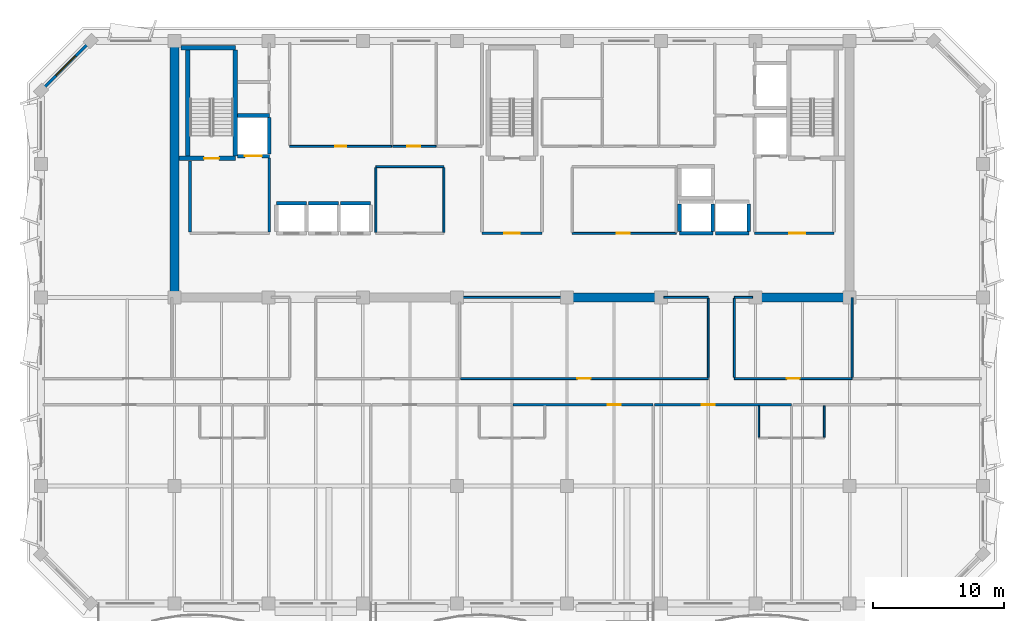
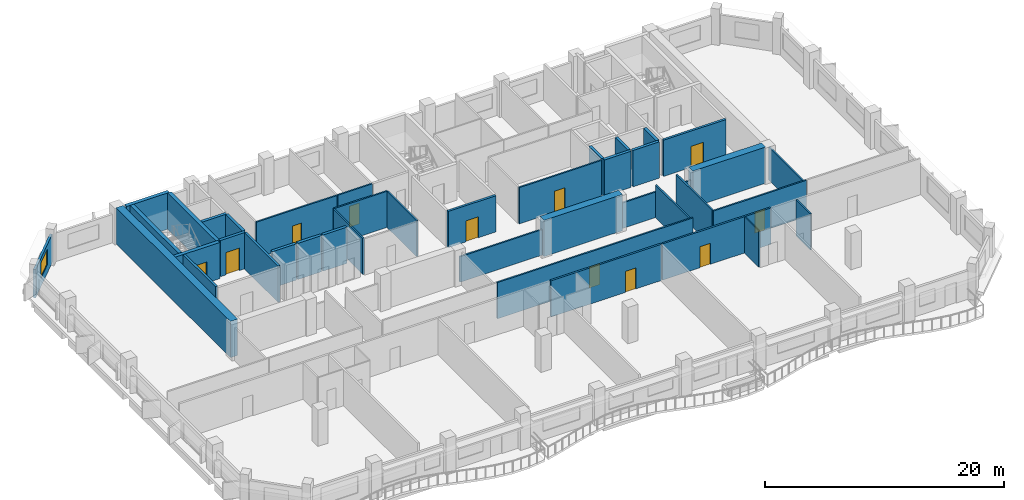
# One storey, part 5 of 10: 41 walls, 11 doors, 1 window, 12 openings.
"""IFC4 building model written with IfcOpenShell, lengths in metres."""

from ifc_helpers import new_model, si_unit, direction, frame, frame_2d, origin, place, context, subcontext, project, spatial, rectangle, extrude, material, layer, layer_set, type_object, element, fill, save


model = new_model("IFC4")

# Units and contexts
model_context = context("Model", 3, precision=1e-05, world=origin(), true_north=direction((0.0, 1.0)))
body_context = subcontext(model_context, "Body", "Model", "MODEL_VIEW")
ifc_project = project(units=[si_unit("LENGTHUNIT", "METRE"), si_unit("AREAUNIT", "SQUARE_METRE"), si_unit("VOLUMEUNIT", "CUBIC_METRE"), si_unit("PLANEANGLEUNIT", "RADIAN"), si_unit("MASSUNIT", "GRAM", prefix="KILO")], contexts=[model_context])

# Site, building, storey
site_placement = place(None, origin())
site = spatial("IfcSite", under=ifc_project, at=site_placement, CompositionType="ELEMENT")
building_placement = place(site_placement, origin())
building = spatial("IfcBuilding", under=site, at=building_placement, Name="Kaelvorn Grand Hotel", CompositionType="ELEMENT")
storey_placement = place(building_placement, frame((0.0, 0.0, 264.699951171875)))
storey = spatial("IfcBuildingStorey", under=building, at=storey_placement, Name="L65", CompositionType="ELEMENT", Elevation=264.699951171875)

# Walls
ifc_material_1 = material(Name="Concrete C50/60", Category="concrete")
ifc_layer_1 = layer(ifc_material_1, 0.699951171875)
ifc_layer_set_1 = layer_set([ifc_layer_1], Name="Concrete C50/60")
wall_type_1 = type_object("IfcWallType", Name="WL-CORE-700-C50", PredefinedType="SHEAR", material=ifc_layer_set_1)
wall_1_placement = place(storey_placement, frame((16.199951171875, 29.39990234375, 0.0), z_axis=(0.0, 0.0, 1.0), x_axis=(0.0, 1.0, 0.0)))
element("IfcWall", 1, at=wall_1_placement, inside=storey, type_object=wall_type_1, Name="L65 Rear-Core West Shear Wall", PredefinedType="SHEAR", context=body_context, shape_type="SweptSolid", body=[
    extrude(rectangle(XDim=19.2001953125, YDim=0.699951171875, at=frame_2d((9.60009765625, 0.0))), origin(), (0.0, 0.0, 1.0), 3.7099609375),
])
wall_2_placement = place(storey_placement, frame((46.0, 29.39990234375, 0.0), z_axis=(0.0, 0.0, 1.0), x_axis=(1.0, 0.0, 0.0)))
element("IfcWall", 2, at=wall_2_placement, inside=storey, type_object=wall_type_1, Name="L65 Rear-Core Coupled Shear Pier S3", PredefinedType="SHEAR", context=body_context, shape_type="SweptSolid", body=[
    extrude(rectangle(XDim=7.60009765625, YDim=0.699951171875, at=frame_2d((3.800048828125, 0.0))), origin(), (0.0, 0.0, 1.0), 3.7099609375),
])
wall_3_placement = place(storey_placement, frame((60.39990234375, 29.39990234375, 0.0), z_axis=(0.0, 0.0, 1.0), x_axis=(1.0, 0.0, 0.0)))
element("IfcWall", 3, at=wall_3_placement, inside=storey, type_object=wall_type_1, Name="L65 Rear-Core Coupled Shear Pier S4", PredefinedType="SHEAR", context=body_context, shape_type="SweptSolid", body=[
    extrude(rectangle(XDim=7.045166015625, YDim=0.699951171875, at=frame_2d((3.5224609375, 0.0))), origin(), (0.0, 0.0, 1.0), 3.7099609375),
])

# Wall, opening, window
ifc_material_2 = material(Name="Concrete C40/50", Category="concrete")
ifc_layer_2 = layer(ifc_material_2, 0.219970703125)
ifc_layer_set_2 = layer_set([ifc_layer_2], Name="Concrete C40/50")
wall_type_2 = type_object("IfcWallType", Name="WL-EXT-220-C40", PredefinedType="SOLIDWALL", material=ifc_layer_set_2)
wall_4_placement = place(storey_placement, frame((9.800048828125, 49.0, 0.0), z_axis=(0.0, 0.0, 1.0), x_axis=(-0.707106781187, -0.707106781187, 0.0)))
wall_4 = element("IfcWall", 4, at=wall_4_placement, inside=storey, type_object=wall_type_2, Name="L65 Exterior Architectural Concrete Wall 06", PredefinedType="SOLIDWALL", context=body_context, shape_type="SweptSolid", body=[
    extrude(rectangle(XDim=5.3740234375, YDim=0.219970703125, at=frame_2d((2.68701171875, 0.0))), origin(), (0.0, 0.0, 1.0), 2.91015625),
])
opening_1_placement = place(wall_4_placement, frame((1.636962890625, 0.0, 0.85009765625)))
opening_1 = element("IfcOpeningElement", 5, at=opening_1_placement, cuts=wall_4, Name="Opening W7", PredefinedType="OPENING", context=body_context, shape_type="SweptSolid", body=[
    extrude(rectangle(XDim=2.10009765625, YDim=1.60009765625, at=frame_2d((1.050048828125, 0.800048828125))), frame((0.0, 0.1201171875, 0.0), z_axis=(0.0, -1.0, 0.0), x_axis=(1.0, 0.0, 0.0)), (0.0, 0.0, 1.0), 0.239990234375),
])
ifc_material_3 = material(Name="Laminated Low-E Glass", Category="glass")
window_type = type_object("IfcWindowType", Name="WIN-CHM-2100x1600", PartitioningType="SINGLE_PANEL", PredefinedType="WINDOW", material=ifc_material_3)
window_placement = place(opening_1_placement, origin())
window = element("IfcWindow", 6, at=window_placement, inside=storey, type_object=window_type, Name="L65 Chamfered 45-Degree Corner Window NW", OverallHeight=1.60009765625, OverallWidth=2.10009765625, PartitioningType="SINGLE_PANEL", PredefinedType="WINDOW", context=body_context, shape_type="SweptSolid", body=[
    extrude(rectangle(XDim=2.10009765625, YDim=1.60009765625, at=frame_2d((1.050048828125, 0.800048828125))), frame((0.0, 0.030029296875, 0.0), z_axis=(0.0, -1.0, 0.0), x_axis=(1.0, 0.0, 0.0)), (0.0, 0.0, 1.0), 0.06005859375),
])
fill(opening_1, window)

# Walls
ifc_material_4 = material(Name="Moisture-Resistant Tile & Stud Board")
ifc_layer_3 = layer(ifc_material_4, 0.125)
ifc_layer_set_3 = layer_set([ifc_layer_3], Name="Moisture-Resistant Tile & Stud Board")
wall_type_3 = type_object("IfcWallType", Name="WL-PART-125-WET", PredefinedType="PARTITIONING", material=ifc_layer_set_3)
for number, where, z_axis, x_axis, name in (
    (7, (60.86669921875, 18.717529296875, 0.0), (0.0, 0.0, 1.0), (0.0, 1.0, 0.0), "L65 En-suite Bathroom L65-05 W Partition"),
    (8, (65.86669921875, 18.717529296875, 0.0), (0.0, 0.0, 1.0), (0.0, 1.0, 0.0), "L65 En-suite Bathroom L65-06 E Partition"),
):
    element("IfcWall", number, at=place(storey_placement, frame(where, z_axis=z_axis, x_axis=x_axis)), inside=storey, type_object=wall_type_3, Name=name, PredefinedType="PARTITIONING", context=body_context, shape_type="SweptSolid", body=[
        extrude(rectangle(XDim=2.387451171875, YDim=0.125, at=frame_2d((1.19384765625, 0.0))), origin(), (0.0, 0.0, 1.0), 3.7099609375),
    ])
ifc_material_5 = material(Name="Acoustic Gypsum & Stud Partition")
ifc_layer_4 = layer(ifc_material_5, 0.14990234375)
ifc_layer_set_4 = layer_set([ifc_layer_4], Name="Acoustic Gypsum & Stud Partition")
wall_type_4 = type_object("IfcWallType", Name="WL-PART-150-EI60", PredefinedType="PARTITIONING", material=ifc_layer_set_4)
wall_5_placement = place(storey_placement, frame((31.60009765625, 39.39990234375, 0.0), z_axis=(0.0, 0.0, 1.0), x_axis=(1.0, 0.0, 0.0)))
element("IfcWall", 9, at=wall_5_placement, inside=storey, type_object=wall_type_4, Name="L65 Core Telecoms & BMS Server Room N Partition", PredefinedType="PARTITIONING", context=body_context, shape_type="SweptSolid", body=[
    extrude(rectangle(XDim=5.199951171875, YDim=0.14990234375, at=frame_2d((2.60009765625, 0.0))), origin(), (0.0, 0.0, 1.0), 3.7099609375),
])
for number, where, z_axis, x_axis, name in (
    (10, (31.60009765625, 34.3798828125, 0.0), (0.0, 0.0, 1.0), (0.0, 1.0, 0.0), "L65 Core Telecoms & BMS Server Room W Partition"),
    (11, (36.800048828125, 34.3798828125, 0.0), (0.0, 0.0, 1.0), (0.0, 1.0, 0.0), "L65 Core Telecoms & BMS Server Room E Partition"),
):
    element("IfcWall", number, at=place(storey_placement, frame(where, z_axis=z_axis, x_axis=x_axis)), inside=storey, type_object=wall_type_4, Name=name, PredefinedType="PARTITIONING", context=body_context, shape_type="SweptSolid", body=[
        extrude(rectangle(XDim=4.940185546875, YDim=0.14990234375, at=frame_2d((2.47021484375, 0.0))), origin(), (0.0, 0.0, 1.0), 3.7099609375),
    ])

# Wall, opening, door
wall_6_placement = place(storey_placement, frame((46.60009765625, 34.300048828125, 0.0), z_axis=(0.0, 0.0, 1.0), x_axis=(1.0, 0.0, 0.0)))
wall_6 = element("IfcWall", 12, at=wall_6_placement, inside=storey, type_object=wall_type_4, Name="L65 Sky Concierge & Butler Pantry Lounge S Partition", PredefinedType="PARTITIONING", context=body_context, shape_type="SweptSolid", body=[
    extrude(rectangle(XDim=7.949951171875, YDim=0.14990234375, at=frame_2d((3.97509765625, 0.0))), origin(), (0.0, 0.0, 1.0), 3.7099609375),
])
opening_2_placement = place(wall_6_placement, frame((3.39990234375, 0.0, 0.0)))
opening_2 = element("IfcOpeningElement", 13, at=opening_2_placement, cuts=wall_6, Name="Opening DI3", PredefinedType="OPENING", context=body_context, shape_type="SweptSolid", body=[
    extrude(rectangle(XDim=1.0, YDim=2.14990234375, at=frame_2d((0.5, 1.074951171875))), frame((0.0, 0.0849609375, 0.0), z_axis=(0.0, -1.0, 0.0), x_axis=(1.0, 0.0, 0.0)), (0.0, 0.0, 1.0), 0.169921875),
])
ifc_material_6 = material(Name="Timber Veneer Fire Leaf", Category="wood")
door_type_1 = type_object("IfcDoorType", Name="DR-INT-GUEST-1000x2150", OperationType="NOTDEFINED", PredefinedType="DOOR", material=ifc_material_6)
door_1_placement = place(opening_2_placement, origin())
door_1 = element("IfcDoor", 14, at=door_1_placement, inside=storey, type_object=door_type_1, Name="L65 Sky Concierge & Butler Pantry Lounge Door", OperationType="SINGLE_SWING_LEFT", OverallHeight=2.14990234375, OverallWidth=1.0, PredefinedType="DOOR", context=body_context, shape_type="SweptSolid", body=[
    extrude(rectangle(XDim=1.0, YDim=2.14990234375, at=frame_2d((0.5, 1.074951171875))), frame((0.0, 0.02490234375, 0.0), z_axis=(0.0, -1.0, 0.0), x_axis=(1.0, 0.0, 0.0)), (0.0, 0.0, 1.0), 0.050048828125),
])
fill(opening_2, door_1)

wall_7_placement = place(storey_placement, frame((25.0, 40.949951171875, 0.0), z_axis=(0.0, 0.0, 1.0), x_axis=(1.0, 0.0, 0.0)))
wall_7 = element("IfcWall", 15, at=wall_7_placement, inside=storey, type_object=wall_type_4, Name="L65 Housekeeping & Linen Room S Partition", PredefinedType="PARTITIONING", context=body_context, shape_type="SweptSolid", body=[
    extrude(rectangle(XDim=7.800048828125, YDim=0.14990234375, at=frame_2d((3.89990234375, 0.0))), origin(), (0.0, 0.0, 1.0), 3.7099609375),
])
opening_3_placement = place(wall_7_placement, frame((3.47509765625, 0.0, 0.0)))
opening_3 = element("IfcOpeningElement", 16, at=opening_3_placement, cuts=wall_7, Name="Opening DI7", PredefinedType="OPENING", context=body_context, shape_type="SweptSolid", body=[
    extrude(rectangle(XDim=0.85009765625, YDim=2.10009765625, at=frame_2d((0.425048828125, 1.050048828125))), frame((0.0, 0.0849609375, 0.0), z_axis=(0.0, -1.0, 0.0), x_axis=(1.0, 0.0, 0.0)), (0.0, 0.0, 1.0), 0.169921875),
])
ifc_material_7 = material(Name="Powder-Coated Steel Leaf", Category="steel")
door_type_2 = type_object("IfcDoorType", Name="DR-INT-RISER-850x2100", OperationType="NOTDEFINED", PredefinedType="DOOR", material=ifc_material_7)
door_2_placement = place(opening_3_placement, origin())
door_2 = element("IfcDoor", 17, at=door_2_placement, inside=storey, type_object=door_type_2, Name="L65 Housekeeping & Linen Room Door", OperationType="SINGLE_SWING_RIGHT", OverallHeight=2.10009765625, OverallWidth=0.85009765625, PredefinedType="DOOR", context=body_context, shape_type="SweptSolid", body=[
    extrude(rectangle(XDim=0.85009765625, YDim=2.10009765625, at=frame_2d((0.425048828125, 1.050048828125))), frame((0.0, 0.02490234375, 0.0), z_axis=(0.0, -1.0, 0.0), x_axis=(1.0, 0.0, 0.0)), (0.0, 0.0, 1.0), 0.050048828125),
])
fill(opening_3, door_2)

wall_8_placement = place(storey_placement, frame((32.8798828125, 40.949951171875, 0.0), z_axis=(0.0, 0.0, 1.0), x_axis=(1.0, 0.0, 0.0)))
wall_8 = element("IfcWall", 18, at=wall_8_placement, inside=storey, type_object=wall_type_4, Name="L65 Floor Butler Tea Point S Partition", PredefinedType="PARTITIONING", context=body_context, shape_type="SweptSolid", body=[
    extrude(rectangle(XDim=3.320068359375, YDim=0.14990234375, at=frame_2d((1.66015625, 0.0))), origin(), (0.0, 0.0, 1.0), 3.7099609375),
])
opening_4_placement = place(wall_8_placement, frame((1.1201171875, 0.0, 0.0)))
opening_4 = element("IfcOpeningElement", 19, at=opening_4_placement, cuts=wall_8, Name="Opening DI3", PredefinedType="OPENING", context=body_context, shape_type="SweptSolid", body=[
    extrude(rectangle(XDim=1.0, YDim=2.14990234375, at=frame_2d((0.5, 1.074951171875))), frame((0.0, 0.0849609375, 0.0), z_axis=(0.0, -1.0, 0.0), x_axis=(1.0, 0.0, 0.0)), (0.0, 0.0, 1.0), 0.169921875),
])
door_3_placement = place(opening_4_placement, origin())
door_3 = element("IfcDoor", 20, at=door_3_placement, inside=storey, type_object=door_type_1, Name="L65 Floor Butler Tea Point Door", OperationType="SINGLE_SWING_LEFT", OverallHeight=2.14990234375, OverallWidth=1.0, PredefinedType="DOOR", context=body_context, shape_type="SweptSolid", body=[
    extrude(rectangle(XDim=1.0, YDim=2.14990234375, at=frame_2d((0.5, 1.074951171875))), frame((0.0, 0.02490234375, 0.0), z_axis=(0.0, -1.0, 0.0), x_axis=(1.0, 0.0, 0.0)), (0.0, 0.0, 1.0), 0.050048828125),
])
fill(opening_4, door_3)

wall_9_placement = place(storey_placement, frame((38.080078125, 23.199951171875, 0.0), z_axis=(0.0, 0.0, 1.0), x_axis=(1.0, 0.0, 0.0)))
wall_9 = element("IfcWall", 21, at=wall_9_placement, inside=storey, type_object=wall_type_4, Name="L65 Conference Seminar Room S Partition", PredefinedType="PARTITIONING", context=body_context, shape_type="SweptSolid", body=[
    extrude(rectangle(XDim=18.919921875, YDim=0.14990234375, at=frame_2d((9.4599609375, 0.0))), origin(), (0.0, 0.0, 1.0), 3.7099609375),
])
opening_5_placement = place(wall_9_placement, frame((8.919921875, 0.0, 0.0)))
opening_5 = element("IfcOpeningElement", 22, at=opening_5_placement, cuts=wall_9, Name="Opening DI3", PredefinedType="OPENING", context=body_context, shape_type="SweptSolid", body=[
    extrude(rectangle(XDim=1.0, YDim=2.14990234375, at=frame_2d((0.5, 1.074951171875))), frame((0.0, 0.0849609375, 0.0), z_axis=(0.0, -1.0, 0.0), x_axis=(1.0, 0.0, 0.0)), (0.0, 0.0, 1.0), 0.169921875),
])
door_4_placement = place(opening_5_placement, origin())
door_4 = element("IfcDoor", 23, at=door_4_placement, inside=storey, type_object=door_type_1, Name="L65 Conference Seminar Room Door", OperationType="SINGLE_SWING_RIGHT", OverallHeight=2.14990234375, OverallWidth=1.0, PredefinedType="DOOR", context=body_context, shape_type="SweptSolid", body=[
    extrude(rectangle(XDim=1.0, YDim=2.14990234375, at=frame_2d((0.5, 1.074951171875))), frame((0.0, 0.02490234375, 0.0), z_axis=(0.0, -1.0, 0.0), x_axis=(1.0, 0.0, 0.0)), (0.0, 0.0, 1.0), 0.050048828125),
])
fill(opening_5, door_4)

# Walls
wall_10_placement = place(storey_placement, frame((38.010009765625, 29.39990234375, 0.0), z_axis=(0.0, 0.0, 1.0), x_axis=(1.0, 0.0, 0.0)))
element("IfcWall", 24, at=wall_10_placement, inside=storey, type_object=wall_type_4, Name="L65 Conference Seminar Room N Partition (1)", PredefinedType="PARTITIONING", context=body_context, shape_type="SweptSolid", body=[
    extrude(rectangle(XDim=7.97998046875, YDim=0.14990234375, at=frame_2d((3.989990234375, 0.0))), origin(), (0.0, 0.0, 1.0), 2.610107421875),
])
wall_11_placement = place(storey_placement, frame((53.610107421875, 29.39990234375, 0.0), z_axis=(0.0, 0.0, 1.0), x_axis=(1.0, 0.0, 0.0)))
element("IfcWall", 25, at=wall_11_placement, inside=storey, type_object=wall_type_4, Name="L65 Conference Seminar Room N Partition (2)", PredefinedType="PARTITIONING", context=body_context, shape_type="SweptSolid", body=[
    extrude(rectangle(XDim=3.389892578125, YDim=0.14990234375, at=frame_2d((1.69482421875, 0.0))), origin(), (0.0, 0.0, 1.0), 2.610107421875),
])
wall_12_placement = place(storey_placement, frame((57.0, 23.280029296875, 0.0), z_axis=(0.0, 0.0, 1.0), x_axis=(0.0, 1.0, 0.0)))
element("IfcWall", 26, at=wall_12_placement, inside=storey, type_object=wall_type_4, Name="L65 Conference Seminar Room E Partition", PredefinedType="PARTITIONING", context=body_context, shape_type="SweptSolid", body=[
    extrude(rectangle(XDim=6.0400390625, YDim=0.14990234375, at=frame_2d((3.02001953125, 0.0))), origin(), (0.0, 0.0, 1.0), 3.35009765625),
])

# Wall, opening, door
wall_13_placement = place(storey_placement, frame((59.0, 23.199951171875, 0.0), z_axis=(0.0, 0.0, 1.0), x_axis=(1.0, 0.0, 0.0)))
wall_13 = element("IfcWall", 27, at=wall_13_placement, inside=storey, type_object=wall_type_4, Name="L65 Concierge Admin Office S Partition", PredefinedType="PARTITIONING", context=body_context, shape_type="SweptSolid", body=[
    extrude(rectangle(XDim=9.0, YDim=0.14990234375, at=frame_2d((4.5, 0.0))), origin(), (0.0, 0.0, 1.0), 3.7099609375),
])
opening_6_placement = place(wall_13_placement, frame((4.0, 0.0, 0.0)))
opening_6 = element("IfcOpeningElement", 28, at=opening_6_placement, cuts=wall_13, Name="Opening DI3", PredefinedType="OPENING", context=body_context, shape_type="SweptSolid", body=[
    extrude(rectangle(XDim=1.0, YDim=2.14990234375, at=frame_2d((0.5, 1.074951171875))), frame((0.0, 0.0849609375, 0.0), z_axis=(0.0, -1.0, 0.0), x_axis=(1.0, 0.0, 0.0)), (0.0, 0.0, 1.0), 0.169921875),
])
door_5_placement = place(opening_6_placement, origin())
door_5 = element("IfcDoor", 29, at=door_5_placement, inside=storey, type_object=door_type_1, Name="L65 Concierge Admin Office Door", OperationType="SINGLE_SWING_LEFT", OverallHeight=2.14990234375, OverallWidth=1.0, PredefinedType="DOOR", context=body_context, shape_type="SweptSolid", body=[
    extrude(rectangle(XDim=1.0, YDim=2.14990234375, at=frame_2d((0.5, 1.074951171875))), frame((0.0, 0.02490234375, 0.0), z_axis=(0.0, -1.0, 0.0), x_axis=(1.0, 0.0, 0.0)), (0.0, 0.0, 1.0), 0.050048828125),
])
fill(opening_6, door_5)

# Walls
wall_14_placement = place(storey_placement, frame((59.0, 29.39990234375, 0.0), z_axis=(0.0, 0.0, 1.0), x_axis=(1.0, 0.0, 0.0)))
element("IfcWall", 30, at=wall_14_placement, inside=storey, type_object=wall_type_4, Name="L65 Concierge Admin Office N Partition", PredefinedType="PARTITIONING", context=body_context, shape_type="SweptSolid", body=[
    extrude(rectangle(XDim=1.389892578125, YDim=0.14990234375, at=frame_2d((0.69482421875, 0.0))), origin(), (0.0, 0.0, 1.0), 2.610107421875),
])
wall_15_placement = place(storey_placement, frame((59.0, 23.280029296875, 0.0), z_axis=(0.0, 0.0, 1.0), x_axis=(0.0, 1.0, 0.0)))
element("IfcWall", 31, at=wall_15_placement, inside=storey, type_object=wall_type_4, Name="L65 Concierge Admin Office W Partition", PredefinedType="PARTITIONING", context=body_context, shape_type="SweptSolid", body=[
    extrude(rectangle(XDim=6.0400390625, YDim=0.14990234375, at=frame_2d((3.02001953125, 0.0))), origin(), (0.0, 0.0, 1.0), 3.7099609375),
])
wall_16_placement = place(storey_placement, frame((68.0, 23.280029296875, 0.0), z_axis=(0.0, 0.0, 1.0), x_axis=(0.0, 1.0, 0.0)))
element("IfcWall", 32, at=wall_16_placement, inside=storey, type_object=wall_type_4, Name="L65 Concierge Admin Office E Partition", PredefinedType="PARTITIONING", context=body_context, shape_type="SweptSolid", body=[
    extrude(rectangle(XDim=6.10986328125, YDim=0.14990234375, at=frame_2d((3.054931640625, 0.0))), origin(), (0.0, 0.0, 1.0), 3.35009765625),
])

# Wall, opening, door
ifc_layer_5 = layer(ifc_material_5, 0.179931640625)
ifc_layer_set_5 = layer_set([ifc_layer_5], Name="Acoustic Gypsum & Stud Partition")
wall_type_5 = type_object("IfcWallType", Name="WL-PART-180-EI60", PredefinedType="PARTITIONING", material=ifc_layer_set_5)
wall_17_placement = place(storey_placement, frame((42.094970703125, 21.199951171875, 0.0), z_axis=(0.0, 0.0, 1.0), x_axis=(1.0, 0.0, 0.0)))
wall_17 = element("IfcWall", 33, at=wall_17_placement, inside=storey, type_object=wall_type_5, Name="L65 Ambassador Junior Suite L65-04 N Partition", PredefinedType="PARTITIONING", context=body_context, shape_type="SweptSolid", body=[
    extrude(rectangle(XDim=10.688232421875, YDim=0.179931640625, at=frame_2d((5.34423828125, 0.0))), origin(), (0.0, 0.0, 1.0), 3.7099609375),
])
opening_7_placement = place(wall_17_placement, frame((7.205078125, 0.0, 0.0)))
opening_7 = element("IfcOpeningElement", 34, at=opening_7_placement, cuts=wall_17, Name="Opening DI3", PredefinedType="OPENING", context=body_context, shape_type="SweptSolid", body=[
    extrude(rectangle(XDim=1.0, YDim=2.14990234375, at=frame_2d((0.5, 1.074951171875))), frame((0.0, 0.10009765625, 0.0), z_axis=(0.0, -1.0, 0.0), x_axis=(1.0, 0.0, 0.0)), (0.0, 0.0, 1.0), 0.199951171875),
])
door_6_placement = place(opening_7_placement, origin())
door_6 = element("IfcDoor", 35, at=door_6_placement, inside=storey, type_object=door_type_1, Name="L65 Ambassador Junior Suite L65-04 Door", OperationType="SINGLE_SWING_RIGHT", OverallHeight=2.14990234375, OverallWidth=1.0, PredefinedType="DOOR", context=body_context, shape_type="SweptSolid", body=[
    extrude(rectangle(XDim=1.0, YDim=2.14990234375, at=frame_2d((0.5, 1.074951171875))), frame((0.0, 0.02490234375, 0.0), z_axis=(0.0, -1.0, 0.0), x_axis=(1.0, 0.0, 0.0)), (0.0, 0.0, 1.0), 0.050048828125),
])
fill(opening_7, door_6)

wall_18_placement = place(storey_placement, frame((52.878173828125, 21.199951171875, 0.0), z_axis=(0.0, 0.0, 1.0), x_axis=(1.0, 0.0, 0.0)))
wall_18 = element("IfcWall", 36, at=wall_18_placement, inside=storey, type_object=wall_type_5, Name="L65 Ambassador Junior Suite L65-05 N Partition", PredefinedType="PARTITIONING", context=body_context, shape_type="SweptSolid", body=[
    extrude(rectangle(XDim=10.488525390625, YDim=0.179931640625, at=frame_2d((5.244140625, 0.0))), origin(), (0.0, 0.0, 1.0), 3.7099609375),
])
opening_8_placement = place(wall_18_placement, frame((3.621826171875, 0.0, 0.0)))
opening_8 = element("IfcOpeningElement", 37, at=opening_8_placement, cuts=wall_18, Name="Opening DI3", PredefinedType="OPENING", context=body_context, shape_type="SweptSolid", body=[
    extrude(rectangle(XDim=1.0, YDim=2.14990234375, at=frame_2d((0.5, 1.074951171875))), frame((0.0, 0.10009765625, 0.0), z_axis=(0.0, -1.0, 0.0), x_axis=(1.0, 0.0, 0.0)), (0.0, 0.0, 1.0), 0.199951171875),
])
door_7_placement = place(opening_8_placement, origin())
door_7 = element("IfcDoor", 38, at=door_7_placement, inside=storey, type_object=door_type_1, Name="L65 Ambassador Junior Suite L65-05 Door", OperationType="SINGLE_SWING_RIGHT", OverallHeight=2.14990234375, OverallWidth=1.0, PredefinedType="DOOR", context=body_context, shape_type="SweptSolid", body=[
    extrude(rectangle(XDim=1.0, YDim=2.14990234375, at=frame_2d((0.5, 1.074951171875))), frame((0.0, 0.02490234375, 0.0), z_axis=(0.0, -1.0, 0.0), x_axis=(1.0, 0.0, 0.0)), (0.0, 0.0, 1.0), 0.050048828125),
])
fill(opening_8, door_7)

# Walls
ifc_layer_6 = layer(ifc_material_2, 0.219970703125)
ifc_layer_set_6 = layer_set([ifc_layer_6], Name="Concrete C40/50")
wall_type_6 = type_object("IfcWallType", Name="WL-PART-220-EI120", PredefinedType="PARTITIONING", material=ifc_layer_set_6)
wall_19_placement = place(storey_placement, frame((17.39990234375, 34.4150390625, 0.0), z_axis=(0.0, 0.0, 1.0), x_axis=(0.0, 1.0, 0.0)))
element("IfcWall", 39, at=wall_19_placement, inside=storey, type_object=wall_type_6, Name="L65 Firefighting Lift Lobby 1 W Partition", PredefinedType="PARTITIONING", context=body_context, shape_type="SweptSolid", body=[
    extrude(rectangle(XDim=5.429931640625, YDim=0.219970703125, at=frame_2d((2.71484375, 0.0))), origin(), (0.0, 0.0, 1.0), 3.7099609375),
])
wall_20_placement = place(storey_placement, frame((23.449951171875, 34.4150390625, 0.0), z_axis=(0.0, 0.0, 1.0), x_axis=(0.0, 1.0, 0.0)))
element("IfcWall", 40, at=wall_20_placement, inside=storey, type_object=wall_type_6, Name="L65 Firefighting Lift Lobby 1 E Partition", PredefinedType="PARTITIONING", context=body_context, shape_type="SweptSolid", body=[
    extrude(rectangle(XDim=5.639892578125, YDim=0.219970703125, at=frame_2d((2.81982421875, 0.0))), origin(), (0.0, 0.0, 1.0), 3.7099609375),
])

# Wall, opening, door
wall_21_placement = place(storey_placement, frame((60.550048828125, 34.300048828125, 0.0), z_axis=(0.0, 0.0, 1.0), x_axis=(1.0, 0.0, 0.0)))
wall_21 = element("IfcWall", 41, at=wall_21_placement, inside=storey, type_object=wall_type_6, Name="L65 Firefighting Lift Lobby 2 S Partition", PredefinedType="PARTITIONING", context=body_context, shape_type="SweptSolid", body=[
    extrude(rectangle(XDim=6.050048828125, YDim=0.219970703125, at=frame_2d((3.02490234375, 0.0))), origin(), (0.0, 0.0, 1.0), 3.7099609375),
])
opening_9_placement = place(wall_21_placement, frame((2.64990234375, 0.0, 0.0)))
opening_9 = element("IfcOpeningElement", 42, at=opening_9_placement, cuts=wall_21, Name="Opening DI2", PredefinedType="OPENING", context=body_context, shape_type="SweptSolid", body=[
    extrude(rectangle(XDim=1.199951171875, YDim=2.14990234375, at=frame_2d((0.60009765625, 1.074951171875))), frame((0.0, 0.1201171875, 0.0), z_axis=(0.0, -1.0, 0.0), x_axis=(1.0, 0.0, 0.0)), (0.0, 0.0, 1.0), 0.239990234375),
])
door_type_3 = type_object("IfcDoorType", Name="DR-INT-FFLOB-1200x2150", OperationType="NOTDEFINED", PredefinedType="DOOR", material=ifc_material_6)
door_8_placement = place(opening_9_placement, origin())
door_8 = element("IfcDoor", 43, at=door_8_placement, inside=storey, type_object=door_type_3, Name="L65 Firefighting Lift Lobby 2 Door", OperationType="SINGLE_SWING_LEFT", OverallHeight=2.14990234375, OverallWidth=1.199951171875, PredefinedType="DOOR", context=body_context, shape_type="SweptSolid", body=[
    extrude(rectangle(XDim=1.199951171875, YDim=2.14990234375, at=frame_2d((0.60009765625, 1.074951171875))), frame((0.0, 0.02490234375, 0.0), z_axis=(0.0, -1.0, 0.0), x_axis=(1.0, 0.0, 0.0)), (0.0, 0.0, 1.0), 0.050048828125),
])
fill(opening_9, door_8)

wall_22_placement = place(storey_placement, frame((39.699951171875, 34.300048828125, 0.0), z_axis=(0.0, 0.0, 1.0), x_axis=(1.0, 0.0, 0.0)))
wall_22 = element("IfcWall", 44, at=wall_22_placement, inside=storey, type_object=wall_type_6, Name="L65 Central Stair Escape Vestibule S Partition", PredefinedType="PARTITIONING", context=body_context, shape_type="SweptSolid", body=[
    extrude(rectangle(XDim=4.60009765625, YDim=0.219970703125, at=frame_2d((2.300048828125, 0.0))), origin(), (0.0, 0.0, 1.0), 3.7099609375),
])
opening_10_placement = place(wall_22_placement, frame((1.699951171875, 0.0, 0.0)))
opening_10 = element("IfcOpeningElement", 45, at=opening_10_placement, cuts=wall_22, Name="Opening DI2", PredefinedType="OPENING", context=body_context, shape_type="SweptSolid", body=[
    extrude(rectangle(XDim=1.199951171875, YDim=2.14990234375, at=frame_2d((0.60009765625, 1.074951171875))), frame((0.0, 0.1201171875, 0.0), z_axis=(0.0, -1.0, 0.0), x_axis=(1.0, 0.0, 0.0)), (0.0, 0.0, 1.0), 0.239990234375),
])
door_9_placement = place(opening_10_placement, origin())
door_9 = element("IfcDoor", 46, at=door_9_placement, inside=storey, type_object=door_type_3, Name="L65 Central Stair Escape Vestibule Door", OperationType="SINGLE_SWING_RIGHT", OverallHeight=2.14990234375, OverallWidth=1.199951171875, PredefinedType="DOOR", context=body_context, shape_type="SweptSolid", body=[
    extrude(rectangle(XDim=1.199951171875, YDim=2.14990234375, at=frame_2d((0.60009765625, 1.074951171875))), frame((0.0, 0.02490234375, 0.0), z_axis=(0.0, -1.0, 0.0), x_axis=(1.0, 0.0, 0.0)), (0.0, 0.0, 1.0), 0.050048828125),
])
fill(opening_10, door_9)

# Walls
ifc_layer_7 = layer(ifc_material_1, 0.280029296875)
ifc_layer_set_7 = layer_set([ifc_layer_7], Name="Concrete C50/60")
wall_type_7 = type_object("IfcWallType", Name="WL-SHAFT-280-C50", PredefinedType="SHEAR", material=ifc_layer_set_7)
for number, where, z_axis, x_axis, name in (
    (47, (24.0, 36.60009765625, 0.0), (0.0, 0.0, 1.0), (1.0, 0.0, 0.0), "L65 Lift PL-H1 Shaft North Wall"),
    (48, (26.449951171875, 36.60009765625, 0.0), (0.0, 0.0, 1.0), (1.0, 0.0, 0.0), "L65 Lift PL-H2 Shaft North Wall"),
    (49, (28.89990234375, 36.60009765625, 0.0), (0.0, 0.0, 1.0), (1.0, 0.0, 0.0), "L65 Lift PL-H3 Shaft North Wall"),
):
    element("IfcWall", number, at=place(storey_placement, frame(where, z_axis=z_axis, x_axis=x_axis)), inside=storey, type_object=wall_type_7, Name=name, PredefinedType="SHEAR", context=body_context, shape_type="SweptSolid", body=[
        extrude(rectangle(XDim=2.300048828125, YDim=0.280029296875, at=frame_2d((1.14990234375, 0.0))), origin(), (0.0, 0.0, 1.0), 3.7099609375),
    ])
wall_23_placement = place(storey_placement, frame((54.800048828125, 34.300048828125, 0.0), z_axis=(0.0, 0.0, 1.0), x_axis=(1.0, 0.0, 0.0)))
element("IfcWall", 50, at=wall_23_placement, inside=storey, type_object=wall_type_7, Name="L65 Lift OL-1 Shaft South Wall", PredefinedType="SHEAR", context=body_context, shape_type="SweptSolid", body=[
    extrude(rectangle(XDim=2.550048828125, YDim=0.280029296875, at=frame_2d((1.27490234375, 0.0))), origin(), (0.0, 0.0, 1.0), 3.7099609375),
])
for number, where, z_axis, x_axis, name in (
    (51, (54.800048828125, 34.445068359375, 0.0), (0.0, 0.0, 1.0), (0.0, 1.0, 0.0), "L65 Lift OL-1 Shaft West Wall"),
    (52, (57.35009765625, 34.445068359375, 0.0), (0.0, 0.0, 1.0), (0.0, 1.0, 0.0), "L65 Lift OL-1 Shaft East Wall"),
):
    element("IfcWall", number, at=place(storey_placement, frame(where, z_axis=z_axis, x_axis=x_axis)), inside=storey, type_object=wall_type_7, Name=name, PredefinedType="SHEAR", context=body_context, shape_type="SweptSolid", body=[
        extrude(rectangle(XDim=2.10986328125, YDim=0.280029296875, at=frame_2d((1.054931640625, 0.0))), origin(), (0.0, 0.0, 1.0), 3.7099609375),
    ])
wall_24_placement = place(storey_placement, frame((57.550048828125, 34.300048828125, 0.0), z_axis=(0.0, 0.0, 1.0), x_axis=(1.0, 0.0, 0.0)))
element("IfcWall", 53, at=wall_24_placement, inside=storey, type_object=wall_type_7, Name="L65 Lift OL-2 Shaft South Wall", PredefinedType="SHEAR", context=body_context, shape_type="SweptSolid", body=[
    extrude(rectangle(XDim=2.550048828125, YDim=0.280029296875, at=frame_2d((1.27490234375, 0.0))), origin(), (0.0, 0.0, 1.0), 3.7099609375),
])
wall_25_placement = place(storey_placement, frame((60.10009765625, 34.445068359375, 0.0), z_axis=(0.0, 0.0, 1.0), x_axis=(0.0, 1.0, 0.0)))
element("IfcWall", 54, at=wall_25_placement, inside=storey, type_object=wall_type_7, Name="L65 Lift OL-2 Shaft East Wall", PredefinedType="SHEAR", context=body_context, shape_type="SweptSolid", body=[
    extrude(rectangle(XDim=2.10986328125, YDim=0.280029296875, at=frame_2d((1.054931640625, 0.0))), origin(), (0.0, 0.0, 1.0), 3.7099609375),
])

# Wall, opening, door
wall_26_placement = place(storey_placement, frame((21.034912109375, 40.199951171875, 0.0), z_axis=(0.0, 0.0, 1.0), x_axis=(1.0, 0.0, 0.0)))
wall_26 = element("IfcWall", 55, at=wall_26_placement, inside=storey, type_object=wall_type_7, Name="L65 Lift FFL1 Shaft South Wall", PredefinedType="SHEAR", context=body_context, shape_type="SweptSolid", body=[
    extrude(rectangle(XDim=2.4150390625, YDim=0.280029296875, at=frame_2d((1.20751953125, 0.0))), origin(), (0.0, 0.0, 1.0), 3.7099609375),
])
opening_11_placement = place(wall_26_placement, frame((0.5400390625, 0.0, 0.0)))
opening_11 = element("IfcOpeningElement", 56, at=opening_11_placement, cuts=wall_26, Name="Opening LD-FFL1", PredefinedType="OPENING", context=body_context, shape_type="SweptSolid", body=[
    extrude(rectangle(XDim=1.300048828125, YDim=2.300048828125, at=frame_2d((0.64990234375, 1.14990234375))), frame((0.0, 0.14990234375, 0.0), z_axis=(0.0, -1.0, 0.0), x_axis=(1.0, 0.0, 0.0)), (0.0, 0.0, 1.0), 0.300048828125),
])
ifc_material_8 = material(Name="Stainless Steel", Category="steel")
door_type_4 = type_object("IfcDoorType", Name="DR-LIFT-SERV-1300x2300", OperationType="DOUBLE_DOOR_SLIDING", PredefinedType="DOOR", material=ifc_material_8)
door_10_placement = place(opening_11_placement, origin())
door_10 = element("IfcDoor", 57, at=door_10_placement, inside=storey, type_object=door_type_4, Name="L65 Lift FFL1 Sliding Landing Door LD-FFL1", OperationType="DOUBLE_DOOR_SLIDING", OverallHeight=2.300048828125, OverallWidth=1.300048828125, PredefinedType="DOOR", context=body_context, shape_type="SweptSolid", body=[
    extrude(rectangle(XDim=1.300048828125, YDim=2.300048828125, at=frame_2d((0.64990234375, 1.14990234375))), frame((0.0, 0.02490234375, 0.0), z_axis=(0.0, -1.0, 0.0), x_axis=(1.0, 0.0, 0.0)), (0.0, 0.0, 1.0), 0.050048828125),
])
fill(opening_11, door_10)

# Walls
wall_27_placement = place(storey_placement, frame((21.034912109375, 43.300048828125, 0.0), z_axis=(0.0, 0.0, 1.0), x_axis=(1.0, 0.0, 0.0)))
element("IfcWall", 58, at=wall_27_placement, inside=storey, type_object=wall_type_7, Name="L65 Lift FFL1 Shaft North Wall", PredefinedType="SHEAR", context=body_context, shape_type="SweptSolid", body=[
    extrude(rectangle(XDim=2.4150390625, YDim=0.280029296875, at=frame_2d((1.20751953125, 0.0))), origin(), (0.0, 0.0, 1.0), 3.7099609375),
])
wall_28_placement = place(storey_placement, frame((23.449951171875, 40.344970703125, 0.0), z_axis=(0.0, 0.0, 1.0), x_axis=(0.0, 1.0, 0.0)))
element("IfcWall", 59, at=wall_28_placement, inside=storey, type_object=wall_type_7, Name="L65 Lift FFL1 Shaft East Wall", PredefinedType="SHEAR", context=body_context, shape_type="SweptSolid", body=[
    extrude(rectangle(XDim=2.81005859375, YDim=0.280029296875, at=frame_2d((1.405029296875, 0.0))), origin(), (0.0, 0.0, 1.0), 3.7099609375),
])

# Wall, opening, door
ifc_material_9 = material(Name="Concrete C60/75", Category="concrete")
ifc_layer_8 = layer(ifc_material_9, 0.35009765625)
ifc_layer_set_8 = layer_set([ifc_layer_8], Name="Concrete C60/75")
wall_type_8 = type_object("IfcWallType", Name="WL-SHAFT-350-C60", PredefinedType="SHEAR", material=ifc_layer_set_8)
wall_29_placement = place(storey_placement, frame((16.554931640625, 40.02490234375, 0.0), z_axis=(0.0, 0.0, 1.0), x_axis=(1.0, 0.0, 0.0)))
wall_29 = element("IfcWall", 60, at=wall_29_placement, inside=storey, type_object=wall_type_8, Name="L65 ST1 Stair Shaft South Wall", PredefinedType="SHEAR", context=body_context, shape_type="SweptSolid", body=[
    extrude(rectangle(XDim=4.300048828125, YDim=0.35009765625, at=frame_2d((2.14990234375, 0.0))), origin(), (0.0, 0.0, 1.0), 3.7099609375),
])
opening_12_placement = place(wall_29_placement, frame((1.909912109375, 0.0, 0.0)))
opening_12 = element("IfcOpeningElement", 61, at=opening_12_placement, cuts=wall_29, Name="Opening DI1", PredefinedType="OPENING", context=body_context, shape_type="SweptSolid", body=[
    extrude(rectangle(XDim=1.14990234375, YDim=2.14990234375, at=frame_2d((0.574951171875, 1.074951171875))), frame((0.0, 0.18505859375, 0.0), z_axis=(0.0, -1.0, 0.0), x_axis=(1.0, 0.0, 0.0)), (0.0, 0.0, 1.0), 0.3701171875),
])
door_type_5 = type_object("IfcDoorType", Name="DR-INT-STAIR-1150x2150", OperationType="NOTDEFINED", PredefinedType="DOOR", material=ifc_material_6)
door_11_placement = place(opening_12_placement, origin())
door_11 = element("IfcDoor", 62, at=door_11_placement, inside=storey, type_object=door_type_5, Name="L65 ST1 Exit Stair Fire Door", OperationType="SINGLE_SWING_LEFT", OverallHeight=2.14990234375, OverallWidth=1.14990234375, PredefinedType="DOOR", context=body_context, shape_type="SweptSolid", body=[
    extrude(rectangle(XDim=1.14990234375, YDim=2.14990234375, at=frame_2d((0.574951171875, 1.074951171875))), frame((0.0, 0.02490234375, 0.0), z_axis=(0.0, -1.0, 0.0), x_axis=(1.0, 0.0, 0.0)), (0.0, 0.0, 1.0), 0.050048828125),
])
fill(opening_12, door_11)

# Walls
wall_30_placement = place(storey_placement, frame((16.705078125, 48.47509765625, 0.0), z_axis=(0.0, 0.0, 1.0), x_axis=(1.0, 0.0, 0.0)))
element("IfcWall", 63, at=wall_30_placement, inside=storey, type_object=wall_type_8, Name="L65 ST1 Stair Shaft North Wall", PredefinedType="SHEAR", context=body_context, shape_type="SweptSolid", body=[
    extrude(rectangle(XDim=4.14990234375, YDim=0.35009765625, at=frame_2d((2.074951171875, 0.0))), origin(), (0.0, 0.0, 1.0), 3.7099609375),
])
for number, where, z_axis, x_axis, name in (
    (64, (17.22509765625, 40.205078125, 0.0), (0.0, 0.0, 1.0), (0.0, 1.0, 0.0), "L65 ST1 Stair Shaft West Wall"),
    (65, (20.85498046875, 40.205078125, 0.0), (0.0, 0.0, 1.0), (0.0, 1.0, 0.0), "L65 ST1 Stair Shaft East Wall"),
):
    element("IfcWall", number, at=place(storey_placement, frame(where, z_axis=z_axis, x_axis=x_axis)), inside=storey, type_object=wall_type_8, Name=name, PredefinedType="SHEAR", context=body_context, shape_type="SweptSolid", body=[
        extrude(rectangle(XDim=8.08984375, YDim=0.35009765625, at=frame_2d((4.044921875, 0.0))), origin(), (0.0, 0.0, 1.0), 3.7099609375),
    ])

save(model, "model.ifc")
